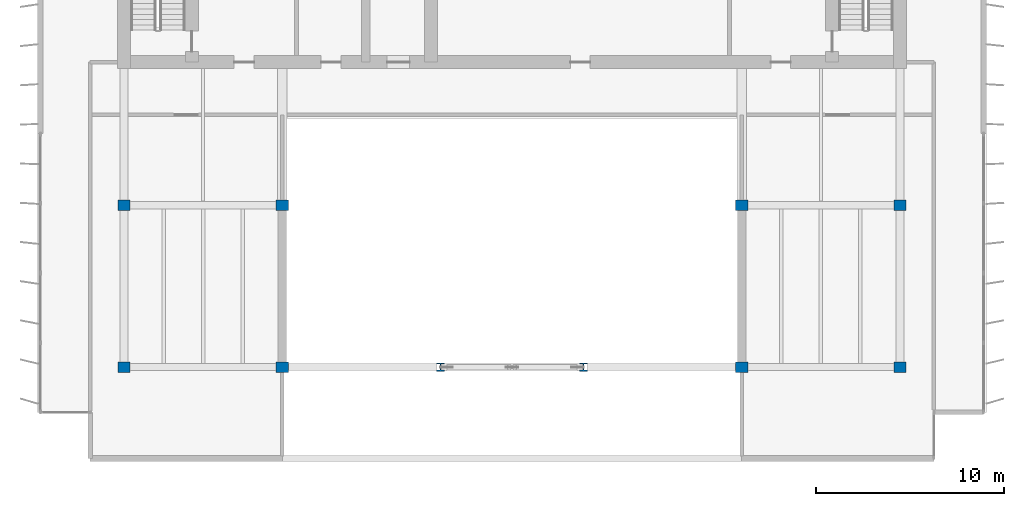
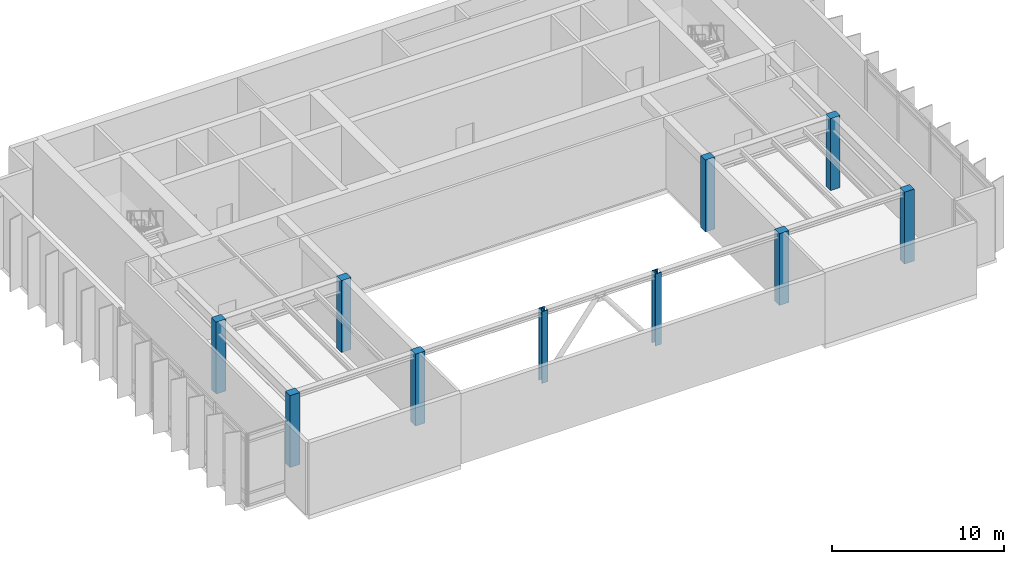
# One storey, part 1 of 9: 10 columns.
"""IFC4 building model written with IfcOpenShell, lengths in metres."""

from ifc_helpers import new_model, si_unit, direction, frame, origin, origin_2d, place, context, subcontext, project, spatial, rectangle, i_section, extrude, material, material_profile, profile_set, type_object, element, save


model = new_model("IFC4")

# Units and contexts
model_context = context("Model", 3, precision=1e-05, world=origin(), true_north=direction((0.0, 1.0)))
body_context = subcontext(model_context, "Body", "Model", "MODEL_VIEW")
ifc_project = project(units=[si_unit("LENGTHUNIT", "METRE"), si_unit("AREAUNIT", "SQUARE_METRE"), si_unit("VOLUMEUNIT", "CUBIC_METRE"), si_unit("PLANEANGLEUNIT", "RADIAN"), si_unit("MASSUNIT", "GRAM", prefix="KILO")], contexts=[model_context])

# Site, building, storey
site_placement = place(None, origin())
site = spatial("IfcSite", under=ifc_project, at=site_placement, CompositionType="ELEMENT")
building_placement = place(site_placement, origin())
building = spatial("IfcBuilding", under=site, at=building_placement, Name="Caelmar Bay Residences", CompositionType="ELEMENT")
storey_placement = place(building_placement, frame((0.0, 0.0, 290.199951171875)))
storey = spatial("IfcBuildingStorey", under=building, at=storey_placement, Name="L80", CompositionType="ELEMENT", Elevation=290.199951171875)

# Columns
ifc_material_1 = material(Name="Concrete f'c 55 MPa (8,000 psi)", Category="concrete")
ifc_material_profile_1 = material_profile(ifc_material_1, rectangle(XDim=0.64990234375, YDim=0.550048828125, at=origin_2d()), Name="RC-COL-650X550")
ifc_profile_set_1 = profile_set([ifc_material_profile_1], Name="Concrete f'c 55 MPa (8,000 psi)")
column_type_1 = type_object("IfcColumnType", Name="COL-RC-650X550", PredefinedType="COLUMN", material=ifc_profile_set_1)
for number, where, z_axis, x_axis, name in (
    (1, (18.300048828125, 20.800048828125, 0.0), (0.0, 0.0, 1.0), (1.0, 0.0, 0.0), "L80 Column (18.30,20.80)"),
    (2, (26.699951171875, 20.800048828125, 0.0), (0.0, 0.0, 1.0), (1.0, 0.0, 0.0), "L80 Column (26.70,20.80)"),
    (3, (51.10009765625, 20.800048828125, 0.0), (0.0, 0.0, 1.0), (1.0, 0.0, 0.0), "L80 Column (51.10,20.80)"),
    (4, (59.5, 20.800048828125, 0.0), (0.0, 0.0, 1.0), (1.0, 0.0, 0.0), "L80 Column (59.50,20.80)"),
    (5, (18.300048828125, 29.39990234375, 0.0), (0.0, 0.0, 1.0), (1.0, 0.0, 0.0), "L80 Column (18.30,29.40)"),
    (6, (26.699951171875, 29.39990234375, 0.0), (0.0, 0.0, 1.0), (1.0, 0.0, 0.0), "L80 Column (26.70,29.40)"),
    (7, (51.10009765625, 29.39990234375, 0.0), (0.0, 0.0, 1.0), (1.0, 0.0, 0.0), "L80 Column (51.10,29.40)"),
    (8, (59.5, 29.39990234375, 0.0), (0.0, 0.0, 1.0), (1.0, 0.0, 0.0), "L80 Column (59.50,29.40)"),
):
    element("IfcColumn", number, at=place(storey_placement, frame(where, z_axis=z_axis, x_axis=x_axis)), inside=storey, type_object=column_type_1, Name=name, PredefinedType="COLUMN", context=body_context, shape_type="SweptSolid", body=[
        extrude(rectangle(XDim=0.64990234375, YDim=0.550048828125, at=origin_2d()), origin(), (0.0, 0.0, 1.0), 5.10009765625),
    ])
ifc_material_2 = material(Name="Steel ASTM A992 Grade 50", Category="steel")
ifc_material_profile_2 = material_profile(ifc_material_2, i_section(OverallWidth=0.410888671875, OverallDepth=0.43408203125, WebThickness=0.035888671875, FlangeThickness=0.057373046875, FilletRadius=0.01513671875, at=origin_2d()), Name="W14X311")
ifc_profile_set_2 = profile_set([ifc_material_profile_2], Name="Steel ASTM A992 Grade 50")
column_type_2 = type_object("IfcColumnType", Name="COL-STL-W14X311", PredefinedType="COLUMN", material=ifc_profile_set_2)
for number, where, z_axis, x_axis, name in (
    (9, (35.10009765625, 20.800048828125, 0.0), (0.0, 0.0, 1.0), (1.0, 0.0, 0.0), "L80 Venturi Portal Steel Column X=35.10"),
    (10, (42.699951171875, 20.800048828125, 0.0), (0.0, 0.0, 1.0), (1.0, 0.0, 0.0), "L80 Venturi Portal Steel Column X=42.70"),
):
    element("IfcColumn", number, at=place(storey_placement, frame(where, z_axis=z_axis, x_axis=x_axis)), inside=storey, type_object=column_type_2, Name=name, PredefinedType="COLUMN", context=body_context, shape_type="SweptSolid", body=[
        extrude(i_section(OverallWidth=0.410888671875, OverallDepth=0.43408203125, WebThickness=0.035888671875, FlangeThickness=0.057373046875, FilletRadius=0.01513671875, at=origin_2d()), origin(), (0.0, 0.0, 1.0), 5.10009765625),
    ])

save(model, "model.ifc")
